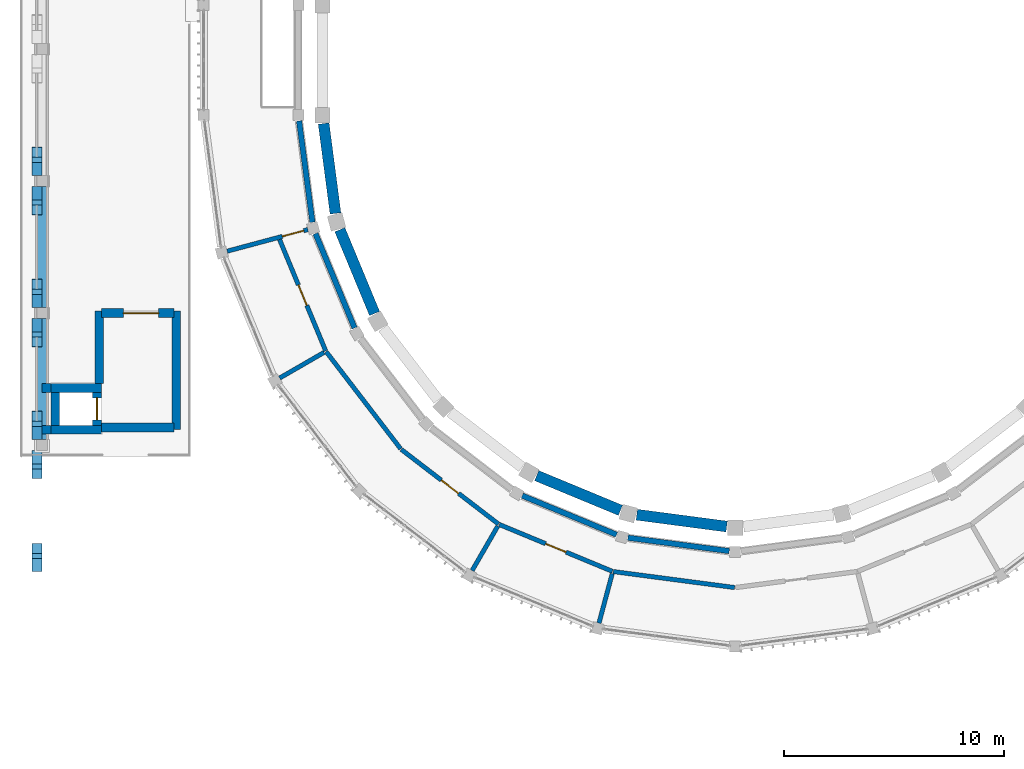
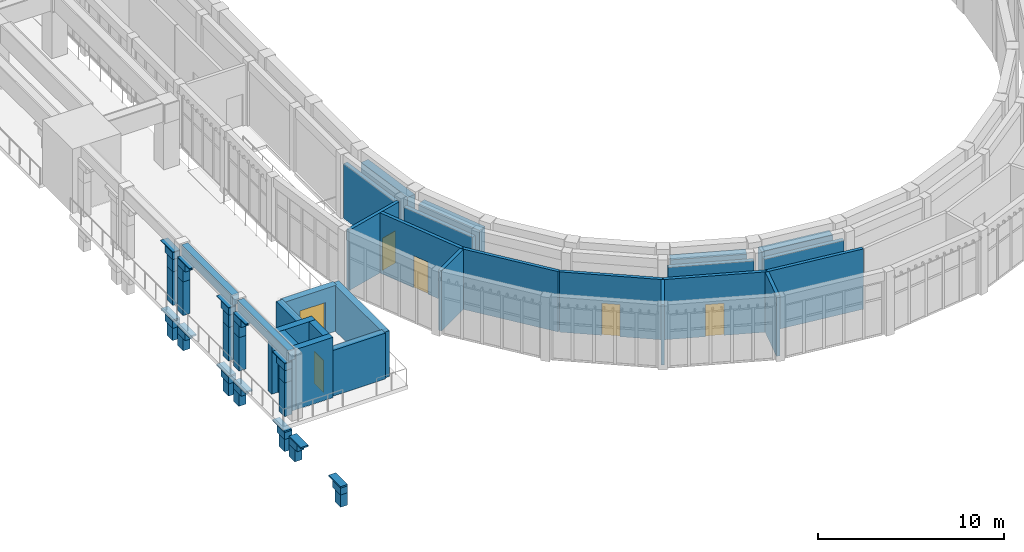
# One storey, part 54 of 99: 70 walls, 6 doors, 6 openings.
"""IFC4 building model written with IfcOpenShell, lengths in metres."""

from ifc_helpers import new_model, si_unit, direction, frame, frame_2d, origin, place, context, subcontext, project, spatial, rectangle, extrude, material, layer, layer_set, type_object, element, fill, save


model = new_model("IFC4")

# Units and contexts
model_context = context("Model", 3, precision=1e-05, world=origin(), true_north=direction((0.0, 1.0)))
body_context = subcontext(model_context, "Body", "Model", "MODEL_VIEW")
ifc_project = project(units=[si_unit("LENGTHUNIT", "METRE"), si_unit("AREAUNIT", "SQUARE_METRE"), si_unit("VOLUMEUNIT", "CUBIC_METRE"), si_unit("PLANEANGLEUNIT", "RADIAN"), si_unit("MASSUNIT", "GRAM", prefix="KILO")], contexts=[model_context])

# Site, building, storey
site_placement = place(None, origin())
site = spatial("IfcSite", under=ifc_project, at=site_placement, CompositionType="ELEMENT")
building_placement = place(site_placement, origin())
building = spatial("IfcBuilding", under=site, at=building_placement, Name="Wasatch Bagh Community Centre", CompositionType="ELEMENT")
storey_placement = place(building_placement, frame((0.0, 0.0, 4.199951171875)))
storey = spatial("IfcBuildingStorey", under=building, at=storey_placement, Name="L01", CompositionType="ELEMENT", Elevation=4.199951171875)

# Walls
ifc_material_1 = material(Name="Concrete C40", Category="concrete")
ifc_layer_1 = layer(ifc_material_1, 0.39990234375)
ifc_layer_set_1 = layer_set([ifc_layer_1], Name="Concrete C40")
wall_type_1 = type_object("IfcWallType", Name="CT-W1", PredefinedType="STANDARD", material=ifc_layer_set_1)
for number, where, z_axis, x_axis, name in (
    (1, (4.5, 20.25, 3.550048828125), (0.0, 0.0, 1.0), (0.0, 1.0, 0.0), "CT-W1 terrace arcade spandrel band 1"),
    (2, (4.5, 26.25, 3.550048828125), (0.0, 0.0, 1.0), (0.0, 1.0, 0.0), "CT-W1 terrace arcade spandrel band 2"),
):
    element("IfcWall", number, at=place(storey_placement, frame(where, z_axis=z_axis, x_axis=x_axis)), inside=storey, type_object=wall_type_1, Name=name, PredefinedType="STANDARD", context=body_context, shape_type="SweptSolid", body=[
        extrude(rectangle(XDim=5.5, YDim=0.39990234375, at=frame_2d((2.75, 0.0))), origin(), (0.0, 0.0, 1.0), 0.64990234375),
    ])
ifc_layer_2 = layer(ifc_material_1, 0.39990234375)
ifc_layer_set_2 = layer_set([ifc_layer_2], Name="Concrete C40")
wall_type_2 = type_object("IfcWallType", Name="CT-W2", PredefinedType="SHEAR", material=ifc_layer_set_2)
for number, where, z_axis, x_axis, name in (
    (3, (4.89990234375, 20.699951171875, 0.0), (0.0, 0.0, 1.0), (1.0, 0.0, 0.0), "LC1 shaft wall S"),
    (4, (4.89990234375, 22.60009765625, 0.0), (0.0, 0.0, 1.0), (1.0, 0.0, 0.0), "LC1 shaft wall N"),
):
    element("IfcWall", number, at=place(storey_placement, frame(where, z_axis=z_axis, x_axis=x_axis)), inside=storey, type_object=wall_type_2, Name=name, PredefinedType="SHEAR", context=body_context, shape_type="SweptSolid", body=[
        extrude(rectangle(XDim=2.300048828125, YDim=0.39990234375, at=frame_2d((1.14990234375, 0.0))), origin(), (0.0, 0.0, 1.0), 3.949951171875),
    ])
wall_1_placement = place(storey_placement, frame((5.10009765625, 20.89990234375, 0.0), z_axis=(0.0, 0.0, 1.0), x_axis=(0.0, 1.0, 0.0)))
element("IfcWall", 5, at=wall_1_placement, inside=storey, type_object=wall_type_2, Name="LC1 shaft wall W", PredefinedType="SHEAR", context=body_context, shape_type="SweptSolid", body=[
    extrude(rectangle(XDim=1.5, YDim=0.39990234375, at=frame_2d((0.75, 0.0))), origin(), (0.0, 0.0, 1.0), 3.949951171875),
])

# Wall, opening, door
wall_2_placement = place(storey_placement, frame((7.0, 20.89990234375, 0.0), z_axis=(0.0, 0.0, 1.0), x_axis=(0.0, 1.0, 0.0)))
wall_2 = element("IfcWall", 6, at=wall_2_placement, inside=storey, type_object=wall_type_2, Name="LC1 shaft wall E", PredefinedType="SHEAR", context=body_context, shape_type="SweptSolid", body=[
    extrude(rectangle(XDim=1.5, YDim=0.39990234375, at=frame_2d((0.75, 0.0))), origin(), (0.0, 0.0, 1.0), 3.949951171875),
])
opening_1_placement = place(wall_2_placement, frame((0.25, 0.0, 0.0)))
opening_1 = element("IfcOpeningElement", 7, at=opening_1_placement, cuts=wall_2, Name="Opening LD", PredefinedType="OPENING", context=body_context, shape_type="SweptSolid", body=[
    extrude(rectangle(XDim=1.0, YDim=2.10009765625, at=frame_2d((0.5, 1.050048828125))), frame((0.0, 0.2099609375, 0.0), z_axis=(0.0, -1.0, 0.0), x_axis=(1.0, 0.0, 0.0)), (0.0, 0.0, 1.0), 0.419921875),
])
ifc_material_2 = material(Name="Stainless steel landing door", Category="steel")
door_type_1 = type_object("IfcDoorType", Name="Lift landing door 1000 x 2100", OperationType="SLIDING_TO_LEFT", PredefinedType="DOOR", material=ifc_material_2)
door_1_placement = place(opening_1_placement, origin())
door_1 = element("IfcDoor", 8, at=door_1_placement, inside=storey, type_object=door_type_1, Name="LC1 landing door L01", OperationType="SLIDING_TO_LEFT", OverallHeight=2.10009765625, OverallWidth=1.0, PredefinedType="DOOR", context=body_context, shape_type="SweptSolid", body=[
    extrude(rectangle(XDim=1.0, YDim=2.10009765625, at=frame_2d((0.5, 1.050048828125))), frame((0.0, 0.02490234375, 0.0), z_axis=(0.0, -1.0, 0.0), x_axis=(1.0, 0.0, 0.0)), (0.0, 0.0, 1.0), 0.050048828125),
])
fill(opening_1, door_1)

# Walls
for number, where, z_axis, x_axis, name in (
    (9, (4.5, 20.699951171875, 0.0), (0.0, 0.0, 1.0), (1.0, 0.0, 0.0), "LC1 shaft wall return S"),
    (10, (4.5, 22.60009765625, 0.0), (0.0, 0.0, 1.0), (1.0, 0.0, 0.0), "LC1 shaft wall return N"),
):
    element("IfcWall", number, at=place(storey_placement, frame(where, z_axis=z_axis, x_axis=x_axis)), inside=storey, type_object=wall_type_2, Name=name, PredefinedType="SHEAR", context=body_context, shape_type="SweptSolid", body=[
        extrude(rectangle(XDim=0.39990234375, YDim=0.39990234375, at=frame_2d((0.199951171875, 0.0))), origin(), (0.0, 0.0, 1.0), 3.5),
    ])
wall_3_placement = place(storey_placement, frame((7.199951171875, 20.800048828125, 0.0), z_axis=(0.0, 0.0, 1.0), x_axis=(1.0, 0.0, 0.0)))
element("IfcWall", 11, at=wall_3_placement, inside=storey, type_object=wall_type_2, Name="Terrace lobby S wall S", PredefinedType="SHEAR", context=body_context, shape_type="SweptSolid", body=[
    extrude(rectangle(XDim=3.300048828125, YDim=0.39990234375, at=frame_2d((1.64990234375, 0.0))), origin(), (0.0, 0.0, 1.0), 3.0),
])

# Wall, opening, door
wall_4_placement = place(storey_placement, frame((7.199951171875, 26.0, 0.0), z_axis=(0.0, 0.0, 1.0), x_axis=(1.0, 0.0, 0.0)))
wall_4 = element("IfcWall", 12, at=wall_4_placement, inside=storey, type_object=wall_type_2, Name="Terrace lobby S wall N", PredefinedType="SHEAR", context=body_context, shape_type="SweptSolid", body=[
    extrude(rectangle(XDim=3.300048828125, YDim=0.39990234375, at=frame_2d((1.64990234375, 0.0))), origin(), (0.0, 0.0, 1.0), 3.0),
])
opening_2_placement = place(wall_4_placement, frame((1.0, 0.0, 0.0)))
opening_2 = element("IfcOpeningElement", 13, at=opening_2_placement, cuts=wall_4, Name="Opening 1C-01", PredefinedType="OPENING", context=body_context, shape_type="SweptSolid", body=[
    extrude(rectangle(XDim=1.60009765625, YDim=2.10009765625, at=frame_2d((0.800048828125, 1.050048828125))), frame((0.0, 0.2099609375, 0.0), z_axis=(0.0, -1.0, 0.0), x_axis=(1.0, 0.0, 0.0)), (0.0, 0.0, 1.0), 0.419921875),
])
ifc_material_3 = material(Name="Timber door leaf in steel frame", Category="steel")
door_type_2 = type_object("IfcDoorType", Name="CT-D3", OperationType="DOUBLE_DOOR_SINGLE_SWING", PredefinedType="DOOR", material=ifc_material_3)
door_2_placement = place(opening_2_placement, origin())
door_2 = element("IfcDoor", 14, at=door_2_placement, inside=storey, type_object=door_type_2, Name="Terrace lobby S door", OperationType="SINGLE_SWING_LEFT", OverallHeight=2.10009765625, OverallWidth=1.60009765625, PredefinedType="DOOR", context=body_context, shape_type="SweptSolid", body=[
    extrude(rectangle(XDim=1.60009765625, YDim=2.10009765625, at=frame_2d((0.800048828125, 1.050048828125))), frame((0.0, 0.02490234375, 0.0), z_axis=(0.0, -1.0, 0.0), x_axis=(1.0, 0.0, 0.0)), (0.0, 0.0, 1.0), 0.050048828125),
])
fill(opening_2, door_2)

# Walls
wall_5_placement = place(storey_placement, frame((10.60009765625, 20.699951171875, 0.0), z_axis=(0.0, 0.0, 1.0), x_axis=(0.0, 1.0, 0.0)))
element("IfcWall", 15, at=wall_5_placement, inside=storey, type_object=wall_type_2, Name="Terrace lobby S wall E", PredefinedType="SHEAR", context=body_context, shape_type="SweptSolid", body=[
    extrude(rectangle(XDim=5.400146484375, YDim=0.39990234375, at=frame_2d((2.7001953125, 0.0))), origin(), (0.0, 0.0, 1.0), 3.0),
])
wall_6_placement = place(storey_placement, frame((7.10009765625, 22.800048828125, 0.0), z_axis=(0.0, 0.0, 1.0), x_axis=(0.0, 1.0, 0.0)))
element("IfcWall", 16, at=wall_6_placement, inside=storey, type_object=wall_type_2, Name="Terrace lobby S wall W", PredefinedType="SHEAR", context=body_context, shape_type="SweptSolid", body=[
    extrude(rectangle(XDim=3.300048828125, YDim=0.39990234375, at=frame_2d((1.64990234375, 0.0))), origin(), (0.0, 0.0, 1.0), 3.0),
])
ifc_layer_3 = layer(ifc_material_1, 0.449951171875)
ifc_layer_set_3 = layer_set([ifc_layer_3], Name="Concrete C40")
wall_type_3 = type_object("IfcWallType", Name="CT-W6", PredefinedType="STANDARD", material=ifc_layer_set_3)
for number, where, z_axis, x_axis, name in (
    (17, (4.27490234375, 14.25, -2.300048828125), (0.0, 0.0, 1.0), (0.0, 1.0, 0.0), "CT-W6 colonnade arch spandrel"),
    (18, (4.27490234375, 19.75, -2.300048828125), (0.0, 0.0, 1.0), (0.0, -1.0, 0.0), "CT-W6 colonnade arch spandrel"),
):
    element("IfcWall", number, at=place(storey_placement, frame(where, z_axis=z_axis, x_axis=x_axis)), inside=storey, type_object=wall_type_3, Name=name, PredefinedType="STANDARD", context=body_context, shape_type="SweptSolid", body=[
        extrude(rectangle(XDim=0.60009765625, YDim=0.449951171875, at=frame_2d((0.300048828125, 0.0))), origin(), (0.0, 0.0, 1.0), 0.800048828125),
    ])
for number, where, z_axis, x_axis, name in (
    (19, (4.27490234375, 14.25, -1.5), (0.0, 0.0, 1.0), (0.0, 1.0, 0.0), "CT-W6 colonnade arch spandrel"),
    (20, (4.27490234375, 19.75, -1.5), (0.0, 0.0, 1.0), (0.0, -1.0, 0.0), "CT-W6 colonnade arch spandrel"),
):
    element("IfcWall", number, at=place(storey_placement, frame(where, z_axis=z_axis, x_axis=x_axis)), inside=storey, type_object=wall_type_3, Name=name, PredefinedType="STANDARD", context=body_context, shape_type="SweptSolid", body=[
        extrude(rectangle(XDim=0.831298828125, YDim=0.449951171875, at=frame_2d((0.41552734375, 0.0))), origin(), (0.0, 0.0, 1.0), 0.449951171875),
    ])
for number, where, z_axis, x_axis, name in (
    (21, (4.27490234375, 14.25, -1.050048828125), (0.0, 0.0, 1.0), (0.0, 1.0, 0.0), "CT-W6 colonnade arch spandrel"),
    (22, (4.27490234375, 19.75, -1.050048828125), (0.0, 0.0, 1.0), (0.0, -1.0, 0.0), "CT-W6 colonnade arch spandrel"),
):
    element("IfcWall", number, at=place(storey_placement, frame(where, z_axis=z_axis, x_axis=x_axis)), inside=storey, type_object=wall_type_3, Name=name, PredefinedType="STANDARD", context=body_context, shape_type="SweptSolid", body=[
        extrude(rectangle(XDim=1.271728515625, YDim=0.449951171875, at=frame_2d((0.6357421875, 0.0))), origin(), (0.0, 0.0, 1.0), 0.10009765625),
    ])
for number, where, z_axis, x_axis, name in (
    (23, (4.27490234375, 20.25, -2.300048828125), (0.0, 0.0, 1.0), (0.0, 1.0, 0.0), "CT-W6 colonnade arch spandrel"),
    (24, (4.27490234375, 25.75, -2.300048828125), (0.0, 0.0, 1.0), (0.0, -1.0, 0.0), "CT-W6 colonnade arch spandrel"),
):
    element("IfcWall", number, at=place(storey_placement, frame(where, z_axis=z_axis, x_axis=x_axis)), inside=storey, type_object=wall_type_3, Name=name, PredefinedType="STANDARD", context=body_context, shape_type="SweptSolid", body=[
        extrude(rectangle(XDim=0.60009765625, YDim=0.449951171875, at=frame_2d((0.300048828125, 0.0))), origin(), (0.0, 0.0, 1.0), 0.800048828125),
    ])
for number, where, z_axis, x_axis, name in (
    (25, (4.27490234375, 20.25, -1.5), (0.0, 0.0, 1.0), (0.0, 1.0, 0.0), "CT-W6 colonnade arch spandrel"),
    (26, (4.27490234375, 25.75, -1.5), (0.0, 0.0, 1.0), (0.0, -1.0, 0.0), "CT-W6 colonnade arch spandrel"),
):
    element("IfcWall", number, at=place(storey_placement, frame(where, z_axis=z_axis, x_axis=x_axis)), inside=storey, type_object=wall_type_3, Name=name, PredefinedType="STANDARD", context=body_context, shape_type="SweptSolid", body=[
        extrude(rectangle(XDim=0.831298828125, YDim=0.449951171875, at=frame_2d((0.41552734375, 0.0))), origin(), (0.0, 0.0, 1.0), 0.449951171875),
    ])
for number, where, z_axis, x_axis, name in (
    (27, (4.27490234375, 20.25, -1.050048828125), (0.0, 0.0, 1.0), (0.0, 1.0, 0.0), "CT-W6 colonnade arch spandrel"),
    (28, (4.27490234375, 25.75, -1.050048828125), (0.0, 0.0, 1.0), (0.0, -1.0, 0.0), "CT-W6 colonnade arch spandrel"),
):
    element("IfcWall", number, at=place(storey_placement, frame(where, z_axis=z_axis, x_axis=x_axis)), inside=storey, type_object=wall_type_3, Name=name, PredefinedType="STANDARD", context=body_context, shape_type="SweptSolid", body=[
        extrude(rectangle(XDim=1.271728515625, YDim=0.449951171875, at=frame_2d((0.6357421875, 0.0))), origin(), (0.0, 0.0, 1.0), 0.10009765625),
    ])
for number, where, z_axis, x_axis, name in (
    (29, (4.27490234375, 26.25, -2.300048828125), (0.0, 0.0, 1.0), (0.0, 1.0, 0.0), "CT-W6 colonnade arch spandrel"),
    (30, (4.27490234375, 31.75, -2.300048828125), (0.0, 0.0, 1.0), (0.0, -1.0, 0.0), "CT-W6 colonnade arch spandrel"),
):
    element("IfcWall", number, at=place(storey_placement, frame(where, z_axis=z_axis, x_axis=x_axis)), inside=storey, type_object=wall_type_3, Name=name, PredefinedType="STANDARD", context=body_context, shape_type="SweptSolid", body=[
        extrude(rectangle(XDim=0.60009765625, YDim=0.449951171875, at=frame_2d((0.300048828125, 0.0))), origin(), (0.0, 0.0, 1.0), 0.800048828125),
    ])
for number, where, z_axis, x_axis, name in (
    (31, (4.27490234375, 26.25, -1.5), (0.0, 0.0, 1.0), (0.0, 1.0, 0.0), "CT-W6 colonnade arch spandrel"),
    (32, (4.27490234375, 31.75, -1.5), (0.0, 0.0, 1.0), (0.0, -1.0, 0.0), "CT-W6 colonnade arch spandrel"),
):
    element("IfcWall", number, at=place(storey_placement, frame(where, z_axis=z_axis, x_axis=x_axis)), inside=storey, type_object=wall_type_3, Name=name, PredefinedType="STANDARD", context=body_context, shape_type="SweptSolid", body=[
        extrude(rectangle(XDim=0.831298828125, YDim=0.449951171875, at=frame_2d((0.41552734375, 0.0))), origin(), (0.0, 0.0, 1.0), 0.449951171875),
    ])
for number, where, z_axis, x_axis, name in (
    (33, (4.27490234375, 26.25, -1.050048828125), (0.0, 0.0, 1.0), (0.0, 1.0, 0.0), "CT-W6 colonnade arch spandrel"),
    (34, (4.27490234375, 31.75, -1.050048828125), (0.0, 0.0, 1.0), (0.0, -1.0, 0.0), "CT-W6 colonnade arch spandrel"),
):
    element("IfcWall", number, at=place(storey_placement, frame(where, z_axis=z_axis, x_axis=x_axis)), inside=storey, type_object=wall_type_3, Name=name, PredefinedType="STANDARD", context=body_context, shape_type="SweptSolid", body=[
        extrude(rectangle(XDim=1.271728515625, YDim=0.449951171875, at=frame_2d((0.6357421875, 0.0))), origin(), (0.0, 0.0, 1.0), 0.10009765625),
    ])
wall_7_placement = place(storey_placement, frame((4.27490234375, 32.25, -2.300048828125), z_axis=(0.0, 0.0, 1.0), x_axis=(0.0, 1.0, 0.0)))
element("IfcWall", 35, at=wall_7_placement, inside=storey, type_object=wall_type_3, Name="CT-W6 colonnade arch spandrel", PredefinedType="STANDARD", context=body_context, shape_type="SweptSolid", body=[
    extrude(rectangle(XDim=0.60009765625, YDim=0.449951171875, at=frame_2d((0.300048828125, 0.0))), origin(), (0.0, 0.0, 1.0), 0.800048828125),
])
wall_8_placement = place(storey_placement, frame((4.27490234375, 32.25, -1.5), z_axis=(0.0, 0.0, 1.0), x_axis=(0.0, 1.0, 0.0)))
element("IfcWall", 36, at=wall_8_placement, inside=storey, type_object=wall_type_3, Name="CT-W6 colonnade arch spandrel", PredefinedType="STANDARD", context=body_context, shape_type="SweptSolid", body=[
    extrude(rectangle(XDim=0.831298828125, YDim=0.449951171875, at=frame_2d((0.41552734375, 0.0))), origin(), (0.0, 0.0, 1.0), 0.449951171875),
])
wall_9_placement = place(storey_placement, frame((4.27490234375, 32.25, -1.050048828125), z_axis=(0.0, 0.0, 1.0), x_axis=(0.0, 1.0, 0.0)))
element("IfcWall", 37, at=wall_9_placement, inside=storey, type_object=wall_type_3, Name="CT-W6 colonnade arch spandrel", PredefinedType="STANDARD", context=body_context, shape_type="SweptSolid", body=[
    extrude(rectangle(XDim=1.271728515625, YDim=0.449951171875, at=frame_2d((0.6357421875, 0.0))), origin(), (0.0, 0.0, 1.0), 0.10009765625),
])
for number, where, z_axis, x_axis, name in (
    (38, (4.27490234375, 20.25, 0.0), (0.0, 0.0, 1.0), (0.0, 1.0, 0.0), "CT-W6 colonnade pier panel"),
    (39, (4.27490234375, 25.75, 0.0), (0.0, 0.0, 1.0), (0.0, -1.0, 0.0), "CT-W6 colonnade pier panel"),
):
    element("IfcWall", number, at=place(storey_placement, frame(where, z_axis=z_axis, x_axis=x_axis)), inside=storey, type_object=wall_type_3, Name=name, PredefinedType="STANDARD", context=body_context, shape_type="SweptSolid", body=[
        extrude(rectangle(XDim=0.60009765625, YDim=0.449951171875, at=frame_2d((0.300048828125, 0.0))), origin(), (0.0, 0.0, 1.0), 2.199951171875),
    ])
for number, where, z_axis, x_axis, name in (
    (40, (4.27490234375, 20.25, 2.199951171875), (0.0, 0.0, 1.0), (0.0, 1.0, 0.0), "CT-W6 colonnade arch spandrel"),
    (41, (4.27490234375, 25.75, 2.199951171875), (0.0, 0.0, 1.0), (0.0, -1.0, 0.0), "CT-W6 colonnade arch spandrel"),
):
    element("IfcWall", number, at=place(storey_placement, frame(where, z_axis=z_axis, x_axis=x_axis)), inside=storey, type_object=wall_type_3, Name=name, PredefinedType="STANDARD", context=body_context, shape_type="SweptSolid", body=[
        extrude(rectangle(XDim=0.60009765625, YDim=0.449951171875, at=frame_2d((0.300048828125, 0.0))), origin(), (0.0, 0.0, 1.0), 0.800048828125),
    ])
for number, where, z_axis, x_axis, name in (
    (42, (4.27490234375, 20.25, 3.0), (0.0, 0.0, 1.0), (0.0, 1.0, 0.0), "CT-W6 colonnade arch spandrel"),
    (43, (4.27490234375, 25.75, 3.0), (0.0, 0.0, 1.0), (0.0, -1.0, 0.0), "CT-W6 colonnade arch spandrel"),
):
    element("IfcWall", number, at=place(storey_placement, frame(where, z_axis=z_axis, x_axis=x_axis)), inside=storey, type_object=wall_type_3, Name=name, PredefinedType="STANDARD", context=body_context, shape_type="SweptSolid", body=[
        extrude(rectangle(XDim=0.837158203125, YDim=0.449951171875, at=frame_2d((0.41845703125, 0.0))), origin(), (0.0, 0.0, 1.0), 0.449951171875),
    ])
for number, where, z_axis, x_axis, name in (
    (44, (4.27490234375, 20.25, 3.449951171875), (0.0, 0.0, 1.0), (0.0, 1.0, 0.0), "CT-W6 colonnade arch spandrel"),
    (45, (4.27490234375, 25.75, 3.449951171875), (0.0, 0.0, 1.0), (0.0, -1.0, 0.0), "CT-W6 colonnade arch spandrel"),
):
    element("IfcWall", number, at=place(storey_placement, frame(where, z_axis=z_axis, x_axis=x_axis)), inside=storey, type_object=wall_type_3, Name=name, PredefinedType="STANDARD", context=body_context, shape_type="SweptSolid", body=[
        extrude(rectangle(XDim=1.29833984375, YDim=0.449951171875, at=frame_2d((0.649169921875, 0.0))), origin(), (0.0, 0.0, 1.0), 0.050048828125),
    ])
for number, where, z_axis, x_axis, name in (
    (46, (4.27490234375, 26.25, 0.0), (0.0, 0.0, 1.0), (0.0, 1.0, 0.0), "CT-W6 colonnade pier panel"),
    (47, (4.27490234375, 31.75, 0.0), (0.0, 0.0, 1.0), (0.0, -1.0, 0.0), "CT-W6 colonnade pier panel"),
):
    element("IfcWall", number, at=place(storey_placement, frame(where, z_axis=z_axis, x_axis=x_axis)), inside=storey, type_object=wall_type_3, Name=name, PredefinedType="STANDARD", context=body_context, shape_type="SweptSolid", body=[
        extrude(rectangle(XDim=0.60009765625, YDim=0.449951171875, at=frame_2d((0.300048828125, 0.0))), origin(), (0.0, 0.0, 1.0), 2.199951171875),
    ])
for number, where, z_axis, x_axis, name in (
    (48, (4.27490234375, 26.25, 2.199951171875), (0.0, 0.0, 1.0), (0.0, 1.0, 0.0), "CT-W6 colonnade arch spandrel"),
    (49, (4.27490234375, 31.75, 2.199951171875), (0.0, 0.0, 1.0), (0.0, -1.0, 0.0), "CT-W6 colonnade arch spandrel"),
):
    element("IfcWall", number, at=place(storey_placement, frame(where, z_axis=z_axis, x_axis=x_axis)), inside=storey, type_object=wall_type_3, Name=name, PredefinedType="STANDARD", context=body_context, shape_type="SweptSolid", body=[
        extrude(rectangle(XDim=0.60009765625, YDim=0.449951171875, at=frame_2d((0.300048828125, 0.0))), origin(), (0.0, 0.0, 1.0), 0.800048828125),
    ])
for number, where, z_axis, x_axis, name in (
    (50, (4.27490234375, 26.25, 3.0), (0.0, 0.0, 1.0), (0.0, 1.0, 0.0), "CT-W6 colonnade arch spandrel"),
    (51, (4.27490234375, 31.75, 3.0), (0.0, 0.0, 1.0), (0.0, -1.0, 0.0), "CT-W6 colonnade arch spandrel"),
):
    element("IfcWall", number, at=place(storey_placement, frame(where, z_axis=z_axis, x_axis=x_axis)), inside=storey, type_object=wall_type_3, Name=name, PredefinedType="STANDARD", context=body_context, shape_type="SweptSolid", body=[
        extrude(rectangle(XDim=0.837158203125, YDim=0.449951171875, at=frame_2d((0.41845703125, 0.0))), origin(), (0.0, 0.0, 1.0), 0.449951171875),
    ])
for number, where, z_axis, x_axis, name in (
    (52, (4.27490234375, 26.25, 3.449951171875), (0.0, 0.0, 1.0), (0.0, 1.0, 0.0), "CT-W6 colonnade arch spandrel"),
    (53, (4.27490234375, 31.75, 3.449951171875), (0.0, 0.0, 1.0), (0.0, -1.0, 0.0), "CT-W6 colonnade arch spandrel"),
):
    element("IfcWall", number, at=place(storey_placement, frame(where, z_axis=z_axis, x_axis=x_axis)), inside=storey, type_object=wall_type_3, Name=name, PredefinedType="STANDARD", context=body_context, shape_type="SweptSolid", body=[
        extrude(rectangle(XDim=1.29833984375, YDim=0.449951171875, at=frame_2d((0.649169921875, 0.0))), origin(), (0.0, 0.0, 1.0), 0.050048828125),
    ])
wall_10_placement = place(storey_placement, frame((4.27490234375, 32.25, 0.0), z_axis=(0.0, 0.0, 1.0), x_axis=(0.0, 1.0, 0.0)))
element("IfcWall", 54, at=wall_10_placement, inside=storey, type_object=wall_type_3, Name="CT-W6 colonnade pier panel", PredefinedType="STANDARD", context=body_context, shape_type="SweptSolid", body=[
    extrude(rectangle(XDim=0.60009765625, YDim=0.449951171875, at=frame_2d((0.300048828125, 0.0))), origin(), (0.0, 0.0, 1.0), 2.199951171875),
])
wall_11_placement = place(storey_placement, frame((4.27490234375, 32.25, 2.199951171875), z_axis=(0.0, 0.0, 1.0), x_axis=(0.0, 1.0, 0.0)))
element("IfcWall", 55, at=wall_11_placement, inside=storey, type_object=wall_type_3, Name="CT-W6 colonnade arch spandrel", PredefinedType="STANDARD", context=body_context, shape_type="SweptSolid", body=[
    extrude(rectangle(XDim=0.60009765625, YDim=0.449951171875, at=frame_2d((0.300048828125, 0.0))), origin(), (0.0, 0.0, 1.0), 0.800048828125),
])
wall_12_placement = place(storey_placement, frame((4.27490234375, 32.25, 3.0), z_axis=(0.0, 0.0, 1.0), x_axis=(0.0, 1.0, 0.0)))
element("IfcWall", 56, at=wall_12_placement, inside=storey, type_object=wall_type_3, Name="CT-W6 colonnade arch spandrel", PredefinedType="STANDARD", context=body_context, shape_type="SweptSolid", body=[
    extrude(rectangle(XDim=0.837158203125, YDim=0.449951171875, at=frame_2d((0.41845703125, 0.0))), origin(), (0.0, 0.0, 1.0), 0.449951171875),
])
wall_13_placement = place(storey_placement, frame((4.27490234375, 32.25, 3.449951171875), z_axis=(0.0, 0.0, 1.0), x_axis=(0.0, 1.0, 0.0)))
element("IfcWall", 57, at=wall_13_placement, inside=storey, type_object=wall_type_3, Name="CT-W6 colonnade arch spandrel", PredefinedType="STANDARD", context=body_context, shape_type="SweptSolid", body=[
    extrude(rectangle(XDim=1.29833984375, YDim=0.449951171875, at=frame_2d((0.649169921875, 0.0))), origin(), (0.0, 0.0, 1.0), 0.050048828125),
])

# Wall, opening, door
ifc_layer_4 = layer(ifc_material_1, 0.199951171875)
ifc_layer_set_4 = layer_set([ifc_layer_4], Name="Concrete C40")
wall_type_4 = type_object("IfcWallType", Name="Drum core wall RC WALL 200", PredefinedType="STANDARD", material=ifc_layer_set_4)
wall_14_placement = place(storey_placement, frame((16.5849609375, 29.7978515625, 0.0), z_axis=(0.0, 0.0, 1.0), x_axis=(-0.965919660258, -0.258842055948, 0.0)))
wall_14 = element("IfcWall", 58, at=wall_14_placement, inside=storey, type_object=wall_type_4, Name="Partition 01", PredefinedType="STANDARD", context=body_context, shape_type="SweptSolid", body=[
    extrude(rectangle(XDim=3.800048828125, YDim=0.199951171875, at=frame_2d((1.89990234375, 0.0))), origin(), (0.0, 0.0, 1.0), 3.949951171875),
])
opening_3_placement = place(wall_14_placement, frame((0.199951171875, 0.0, 0.0)))
opening_3 = element("IfcOpeningElement", 59, at=opening_3_placement, cuts=wall_14, Name="Opening 0F-21", PredefinedType="OPENING", context=body_context, shape_type="SweptSolid", body=[
    extrude(rectangle(XDim=1.0, YDim=2.10009765625, at=frame_2d((0.5, 1.050048828125))), frame((0.0, 0.10986328125, 0.0), z_axis=(0.0, -1.0, 0.0), x_axis=(1.0, 0.0, 0.0)), (0.0, 0.0, 1.0), 0.219970703125),
])
door_type_3 = type_object("IfcDoorType", Name="Drum door single 1000 x 2100", OperationType="SINGLE_SWING_LEFT", PredefinedType="DOOR", material=ifc_material_3)
door_3_placement = place(opening_3_placement, origin())
door_3 = element("IfcDoor", 60, at=door_3_placement, inside=storey, type_object=door_type_3, Name="Door 0F-21", OperationType="SINGLE_SWING_RIGHT", OverallHeight=2.10009765625, OverallWidth=1.0, PredefinedType="DOOR", context=body_context, shape_type="SweptSolid", body=[
    extrude(rectangle(XDim=1.0, YDim=2.10009765625, at=frame_2d((0.5, 1.050048828125))), frame((0.0, 0.02490234375, 0.0), z_axis=(0.0, -1.0, 0.0), x_axis=(1.0, 0.0, 0.0)), (0.0, 0.0, 1.0), 0.050048828125),
])
fill(opening_3, door_3)

# Walls
ifc_layer_5 = layer(ifc_material_1, 0.25)
ifc_layer_set_5 = layer_set([ifc_layer_5], Name="Concrete C40")
wall_type_5 = type_object("IfcWallType", Name="Drum inner wall RC WALL 250", PredefinedType="SHEAR", material=ifc_layer_set_5)
wall_15_placement = place(storey_placement, frame((16.18505859375, 34.733154296875, 0.0), z_axis=(0.0, 0.0, 1.0), x_axis=(0.130541551055, -0.991442839224, 0.0)))
element("IfcWall", 61, at=wall_15_placement, inside=storey, type_object=wall_type_5, Name="Inner wall 1", PredefinedType="SHEAR", context=body_context, shape_type="SweptSolid", body=[
    extrude(rectangle(XDim=4.643798828125, YDim=0.25, at=frame_2d((2.32177734375, 0.0))), origin(), (0.0, 0.0, 1.0), 3.60009765625),
])
for number, where, z_axis, x_axis, name in (
    (62, (16.929443359375, 29.61376953125, 0.0), (0.0, 0.0, 1.0), (0.382658268537, -0.923889955309, 0.0), "Inner wall 2"),
    (63, (26.32373046875, 17.706298828125, 0.0), (0.0, 0.0, 1.0), (0.923889955309, -0.382658268537, 0.0), "Inner wall 5"),
):
    element("IfcWall", number, at=place(storey_placement, frame(where, z_axis=z_axis, x_axis=x_axis)), inside=storey, type_object=wall_type_5, Name=name, PredefinedType="SHEAR", context=body_context, shape_type="SweptSolid", body=[
        extrude(rectangle(XDim=4.6435546875, YDim=0.25, at=frame_2d((2.32177734375, 0.0))), origin(), (0.0, 0.0, 1.0), 3.60009765625),
    ])
wall_16_placement = place(storey_placement, frame((31.129150390625, 15.791259765625, 0.0), z_axis=(0.0, 0.0, 1.0), x_axis=(0.991442839224, -0.130541551055, 0.0)))
element("IfcWall", 64, at=wall_16_placement, inside=storey, type_object=wall_type_5, Name="Inner wall 6", PredefinedType="SHEAR", context=body_context, shape_type="SweptSolid", body=[
    extrude(rectangle(XDim=4.643798828125, YDim=0.25, at=frame_2d((2.32177734375, 0.0))), origin(), (0.0, 0.0, 1.0), 3.60009765625),
])
ifc_material_4 = material(Name="Gypsum board partition on steel studs", Category="steel")
ifc_layer_6 = layer(ifc_material_4, 0.199951171875)
ifc_layer_set_6 = layer_set([ifc_layer_6], Name="Gypsum board partition on steel studs")
wall_type_6 = type_object("IfcWallType", Name="Drum partition 200", PredefinedType="PARTITIONING", material=ifc_layer_set_6)
for number, where, z_axis, x_axis, name in (
    (65, (17.314697265625, 24.2119140625, 0.0), (0.0, 0.0, 1.0), (-0.866056135553, -0.499946767237, 0.0), "Partition 02"),
    (66, (25.2119140625, 16.314697265625, 0.0), (0.0, 0.0, 1.0), (-0.499946767237, -0.866056135553, 0.0), "Partition 04"),
    (67, (30.415771484375, 14.1591796875, 0.0), (0.0, 0.0, 1.0), (-0.258839350642, -0.965920385207, 0.0), "Partition 05"),
):
    element("IfcWall", number, at=place(storey_placement, frame(where, z_axis=z_axis, x_axis=x_axis)), inside=storey, type_object=wall_type_6, Name=name, PredefinedType="PARTITIONING", context=body_context, shape_type="SweptSolid", body=[
        extrude(rectangle(XDim=2.323974609375, YDim=0.199951171875, at=frame_2d((1.162109375, 0.0))), origin(), (0.0, 0.0, 1.0), 3.949951171875),
    ])

# Wall, opening, door
wall_17_placement = place(storey_placement, frame((15.295166015625, 29.34912109375, 0.0), z_axis=(0.0, 0.0, 1.0), x_axis=(0.382696372992, -0.923874172222, 0.0)))
wall_17 = element("IfcWall", 68, at=wall_17_placement, inside=storey, type_object=wall_type_6, Name="Corridor wall 2", PredefinedType="PARTITIONING", context=body_context, shape_type="SweptSolid", body=[
    extrude(rectangle(XDim=5.48583984375, YDim=0.199951171875, at=frame_2d((2.742919921875, 0.0))), origin(), (0.0, 0.0, 1.0), 3.949951171875),
])
opening_4_placement = place(wall_17_placement, frame((2.242919921875, 0.0, 0.0)))
opening_4 = element("IfcOpeningElement", 69, at=opening_4_placement, cuts=wall_17, Name="Opening 0F-29", PredefinedType="OPENING", context=body_context, shape_type="SweptSolid", body=[
    extrude(rectangle(XDim=1.0, YDim=2.10009765625, at=frame_2d((0.5, 1.050048828125))), frame((0.0, 0.10986328125, 0.0), z_axis=(0.0, -1.0, 0.0), x_axis=(1.0, 0.0, 0.0)), (0.0, 0.0, 1.0), 0.219970703125),
])
door_4_placement = place(opening_4_placement, origin())
door_4 = element("IfcDoor", 70, at=door_4_placement, inside=storey, type_object=door_type_3, Name="Door 0F-29", OperationType="SINGLE_SWING_LEFT", OverallHeight=2.10009765625, OverallWidth=1.0, PredefinedType="DOOR", context=body_context, shape_type="SweptSolid", body=[
    extrude(rectangle(XDim=1.0, YDim=2.10009765625, at=frame_2d((0.5, 1.050048828125))), frame((0.0, 0.02490234375, 0.0), z_axis=(0.0, -1.0, 0.0), x_axis=(1.0, 0.0, 0.0)), (0.0, 0.0, 1.0), 0.050048828125),
])
fill(opening_4, door_4)

# Wall
wall_18_placement = place(storey_placement, frame((17.414306640625, 24.24658203125, 0.0), z_axis=(0.0, 0.0, 1.0), x_axis=(0.608771278496, -0.793345782417, 0.0)))
element("IfcWall", 71, at=wall_18_placement, inside=storey, type_object=wall_type_6, Name="Corridor wall 3", PredefinedType="PARTITIONING", context=body_context, shape_type="SweptSolid", body=[
    extrude(rectangle(XDim=5.56591796875, YDim=0.199951171875, at=frame_2d((2.782958984375, 0.0))), origin(), (0.0, 0.0, 1.0), 3.949951171875),
])

# Wall, opening, door
wall_19_placement = place(storey_placement, frame((20.830810546875, 19.802734375, 0.0), z_axis=(0.0, 0.0, 1.0), x_axis=(0.793345782417, -0.608771278496, 0.0)))
wall_19 = element("IfcWall", 72, at=wall_19_placement, inside=storey, type_object=wall_type_6, Name="Corridor wall 4", PredefinedType="PARTITIONING", context=body_context, shape_type="SweptSolid", body=[
    extrude(rectangle(XDim=5.56591796875, YDim=0.199951171875, at=frame_2d((2.782958984375, 0.0))), origin(), (0.0, 0.0, 1.0), 3.949951171875),
])
opening_5_placement = place(wall_19_placement, frame((2.282958984375, 0.0, 0.0)))
opening_5 = element("IfcOpeningElement", 73, at=opening_5_placement, cuts=wall_19, Name="Opening 0F-30", PredefinedType="OPENING", context=body_context, shape_type="SweptSolid", body=[
    extrude(rectangle(XDim=1.0, YDim=2.10009765625, at=frame_2d((0.5, 1.050048828125))), frame((0.0, 0.10986328125, 0.0), z_axis=(0.0, -1.0, 0.0), x_axis=(1.0, 0.0, 0.0)), (0.0, 0.0, 1.0), 0.219970703125),
])
door_5_placement = place(opening_5_placement, origin())
door_5 = element("IfcDoor", 74, at=door_5_placement, inside=storey, type_object=door_type_3, Name="Door 0F-30", OperationType="SINGLE_SWING_RIGHT", OverallHeight=2.10009765625, OverallWidth=1.0, PredefinedType="DOOR", context=body_context, shape_type="SweptSolid", body=[
    extrude(rectangle(XDim=1.0, YDim=2.10009765625, at=frame_2d((0.5, 1.050048828125))), frame((0.0, 0.02490234375, 0.0), z_axis=(0.0, -1.0, 0.0), x_axis=(1.0, 0.0, 0.0)), (0.0, 0.0, 1.0), 0.050048828125),
])
fill(opening_5, door_5)

wall_20_placement = place(storey_placement, frame((25.281005859375, 16.39453125, 0.0), z_axis=(0.0, 0.0, 1.0), x_axis=(0.923873023247, -0.382699146742, 0.0)))
wall_20 = element("IfcWall", 75, at=wall_20_placement, inside=storey, type_object=wall_type_6, Name="Corridor wall 5", PredefinedType="PARTITIONING", context=body_context, shape_type="SweptSolid", body=[
    extrude(rectangle(XDim=5.566162109375, YDim=0.199951171875, at=frame_2d((2.783203125, 0.0))), origin(), (0.0, 0.0, 1.0), 3.949951171875),
])
opening_6_placement = place(wall_20_placement, frame((2.282958984375, 0.0, 0.0)))
opening_6 = element("IfcOpeningElement", 76, at=opening_6_placement, cuts=wall_20, Name="Opening 0F-31", PredefinedType="OPENING", context=body_context, shape_type="SweptSolid", body=[
    extrude(rectangle(XDim=1.0, YDim=2.10009765625, at=frame_2d((0.5, 1.050048828125))), frame((0.0, 0.10986328125, 0.0), z_axis=(0.0, -1.0, 0.0), x_axis=(1.0, 0.0, 0.0)), (0.0, 0.0, 1.0), 0.219970703125),
])
door_6_placement = place(opening_6_placement, origin())
door_6 = element("IfcDoor", 77, at=door_6_placement, inside=storey, type_object=door_type_3, Name="Door 0F-31", OperationType="SINGLE_SWING_LEFT", OverallHeight=2.10009765625, OverallWidth=1.0, PredefinedType="DOOR", context=body_context, shape_type="SweptSolid", body=[
    extrude(rectangle(XDim=1.0, YDim=2.10009765625, at=frame_2d((0.5, 1.050048828125))), frame((0.0, 0.02490234375, 0.0), z_axis=(0.0, -1.0, 0.0), x_axis=(1.0, 0.0, 0.0)), (0.0, 0.0, 1.0), 0.050048828125),
])
fill(opening_6, door_6)

# Walls
wall_21_placement = place(storey_placement, frame((30.461669921875, 14.254150390625, 0.0), z_axis=(0.0, 0.0, 1.0), x_axis=(0.99144414081, -0.130531665327, 0.0)))
element("IfcWall", 78, at=wall_21_placement, inside=storey, type_object=wall_type_6, Name="Corridor wall 6", PredefinedType="PARTITIONING", context=body_context, shape_type="SweptSolid", body=[
    extrude(rectangle(XDim=5.566162109375, YDim=0.199951171875, at=frame_2d((2.783203125, 0.0))), origin(), (0.0, 0.0, 1.0), 3.949951171875),
])
ifc_layer_7 = layer(ifc_material_1, 0.5)
ifc_layer_set_7 = layer_set([ifc_layer_7], Name="Concrete C40")
wall_type_7 = type_object("IfcWallType", Name="MH wall RC WALL 500", PredefinedType="SHEAR", material=ifc_layer_set_7)
for number, where, z_axis, x_axis, name in (
    (79, (17.300537109375, 34.616943359375, 0.0), (0.0, 0.0, 1.0), (0.130483623501, -0.991450464722, 0.0), "Capsule wall 1"),
    (80, (18.036865234375, 29.7900390625, 0.0), (0.0, 0.0, 1.0), (0.382688328955, -0.923877504262, 0.0), "Capsule wall 2"),
    (81, (26.98193359375, 18.6142578125, 0.0), (0.0, 0.0, 1.0), (0.923877504262, -0.382688328955, 0.0), "Capsule wall 5"),
    (82, (31.5302734375, 16.83837890625, 0.0), (0.0, 0.0, 1.0), (0.991450464722, -0.130483623501, 0.0), "Capsule wall 6"),
):
    element("IfcWall", number, at=place(storey_placement, frame(where, z_axis=z_axis, x_axis=x_axis)), inside=storey, type_object=wall_type_7, Name=name, PredefinedType="SHEAR", context=body_context, shape_type="SweptSolid", body=[
        extrude(rectangle(XDim=4.121826171875, YDim=0.5, at=frame_2d((2.06103515625, 0.0))), origin(), (0.0, 0.0, 1.0), 3.400146484375),
    ])

save(model, "model.ifc")
